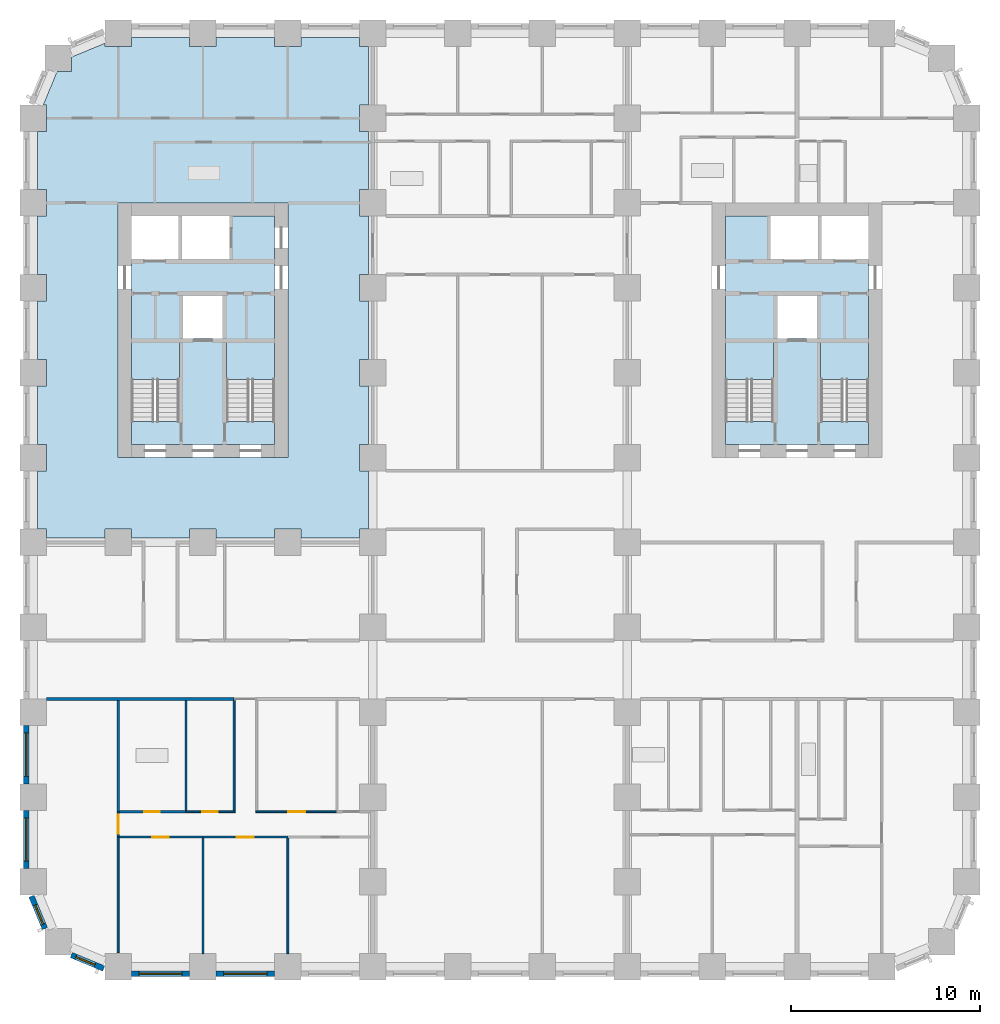
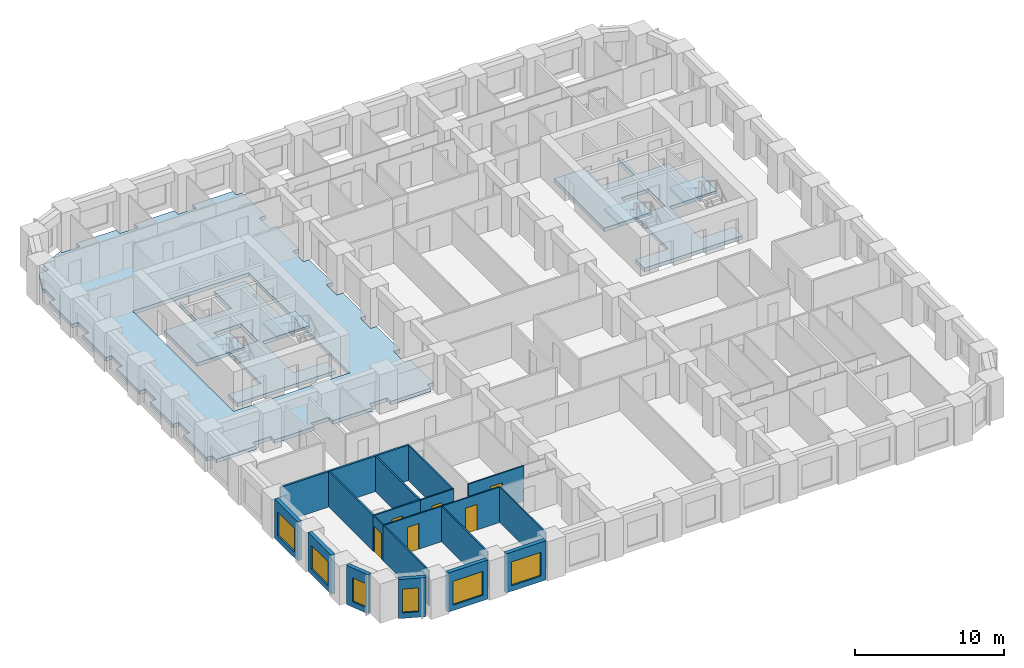
# One storey, part 2 of 13: 19 walls, 7 slabs, 6 doors, 6 windows, 12 openings, 4 elements without a shape of their own.
"""IFC4 building model written with IfcOpenShell, lengths in metres."""

from ifc_helpers import new_model, si_unit, direction, frame, frame_2d, origin, place, context, subcontext, project, spatial, polyline, rectangle, outline, extrude, material, layer, layer_set, type_object, element, fill, aggregate, save


model = new_model("IFC4")

# Units and contexts
model_context = context("Model", 3, precision=1e-05, world=origin(), true_north=direction((0.0, 1.0)))
body_context = subcontext(model_context, "Body", "Model", "MODEL_VIEW")
ifc_project = project(units=[si_unit("LENGTHUNIT", "METRE"), si_unit("AREAUNIT", "SQUARE_METRE"), si_unit("VOLUMEUNIT", "CUBIC_METRE"), si_unit("PLANEANGLEUNIT", "RADIAN"), si_unit("MASSUNIT", "GRAM", prefix="KILO")], contexts=[model_context])

# Site, building, storey
site_placement = place(None, origin())
site = spatial("IfcSite", under=ifc_project, at=site_placement, CompositionType="ELEMENT")
building_placement = place(site_placement, origin())
building = spatial("IfcBuilding", under=site, at=building_placement, Name="Girih Gate Residences", CompositionType="ELEMENT")
storey_placement = place(building_placement, frame((0.0, 0.0, 56.0)))
storey = spatial("IfcBuildingStorey", under=building, at=storey_placement, Name="L14", CompositionType="ELEMENT", Elevation=56.0)

# Slabs
ifc_material_1 = material(Name="Concrete C40/50", Category="concrete")
ifc_layer_1 = layer(ifc_material_1, 0.300048828125)
ifc_layer_set_1 = layer_set([ifc_layer_1], Name="Core floor slab 300")
slab_type_1 = type_object("IfcSlabType", Name="Core floor slab 300", PredefinedType="FLOOR", material=ifc_layer_set_1)
slab_1_placement = place(storey_placement, frame((0.0, 0.0, -0.300048828125)))
element("IfcSlab", 1, at=slab_1_placement, inside=storey, type_object=slab_type_1, Name="L14 W core floor", PredefinedType="FLOOR", context=body_context, shape_type="SweptSolid", body=[
    extrude(outline(polyline([(12.800048828125, 27.699951171875), (5.199951171875, 27.699951171875), (5.199951171875, 28.900634765625), (7.75, 28.900634765625), (7.75, 33.10009765625), (5.199951171875, 33.10009765625), (5.199951171875, 37.5), (7.699951171875, 37.5), (7.699951171875, 39.800048828125), (7.89990234375, 39.800048828125), (7.89990234375, 37.5), (10.39990234375, 37.5), (10.39990234375, 39.800048828125), (12.800048828125, 39.800048828125), (12.800048828125, 33.10009765625), (10.25, 33.10009765625), (10.25, 28.900634765625), (12.800048828125, 28.900634765625), (12.800048828125, 27.699951171875)]), holes=[polyline([(7.949951171875, 33.300048828125), (10.050048828125, 33.300048828125), (10.050048828125, 35.60009765625), (7.949951171875, 35.60009765625), (7.949951171875, 33.300048828125)])]), origin(), (0.0, 0.0, 1.0), 0.300048828125),
])
slab_2_placement = place(storey_placement, frame((0.0, 0.0, -0.300048828125)))
element("IfcSlab", 2, at=slab_2_placement, inside=storey, type_object=slab_type_1, Name="L14 E core floor", PredefinedType="FLOOR", context=body_context, shape_type="SweptSolid", body=[
    extrude(outline(polyline([(44.300048828125, 27.699951171875), (36.699951171875, 27.699951171875), (36.699951171875, 28.900634765625), (39.25, 28.900634765625), (39.25, 33.10009765625), (36.699951171875, 33.10009765625), (36.699951171875, 39.800048828125), (39.10009765625, 39.800048828125), (39.10009765625, 37.5), (41.60009765625, 37.5), (41.60009765625, 39.800048828125), (41.800048828125, 39.800048828125), (41.800048828125, 37.5), (44.300048828125, 37.5), (44.300048828125, 33.10009765625), (41.75, 33.10009765625), (41.75, 28.900634765625), (44.300048828125, 28.900634765625), (44.300048828125, 27.699951171875)]), holes=[polyline([(39.449951171875, 33.300048828125), (41.550048828125, 33.300048828125), (41.550048828125, 35.60009765625), (39.449951171875, 35.60009765625), (39.449951171875, 33.300048828125)])]), origin(), (0.0, 0.0, 1.0), 0.300048828125),
])
ifc_layer_2 = layer(ifc_material_1, 0.300048828125)
ifc_layer_set_2 = layer_set([ifc_layer_2], Name="Floor slab PT 300 Concrete C40/50")
slab_type_2 = type_object("IfcSlabType", Name="Floor slab PT 300 Concrete C40/50", PredefinedType="FLOOR", material=ifc_layer_set_2)
slab_3_placement = place(storey_placement, frame((0.0, 0.0, -0.300048828125)))
element("IfcSlab", 3, at=slab_3_placement, inside=storey, type_object=slab_type_2, Name="Floor slab L14 3", PredefinedType="FLOOR", context=body_context, shape_type="SweptSolid", body=[
    extrude(outline(polyline([(0.22509765625, 26.300048828125), (0.22509765625, 23.199951171875), (0.699951171875, 23.199951171875), (0.699951171875, 22.72509765625), (3.800048828125, 22.72509765625), (3.800048828125, 23.199951171875), (5.199951171875, 23.199951171875), (5.199951171875, 22.72509765625), (8.300048828125, 22.72509765625), (8.300048828125, 23.199951171875), (9.699951171875, 23.199951171875), (9.699951171875, 22.72509765625), (12.800048828125, 22.72509765625), (12.800048828125, 23.199951171875), (14.199951171875, 23.199951171875), (14.199951171875, 22.72509765625), (17.300048828125, 22.72509765625), (17.300048828125, 23.199951171875), (17.77490234375, 23.199951171875), (17.77490234375, 26.300048828125), (17.300048828125, 26.300048828125), (17.300048828125, 27.699951171875), (17.77490234375, 27.699951171875), (17.77490234375, 30.800048828125), (17.300048828125, 30.800048828125), (17.300048828125, 32.199951171875), (17.77490234375, 32.199951171875), (17.77490234375, 35.300048828125), (17.300048828125, 35.300048828125), (17.300048828125, 36.699951171875), (17.77490234375, 36.699951171875), (17.77490234375, 39.800048828125), (17.300048828125, 39.800048828125), (17.300048828125, 41.199951171875), (17.77490234375, 41.199951171875), (17.77490234375, 44.300048828125), (17.300048828125, 44.300048828125), (17.300048828125, 45.699951171875), (17.77490234375, 45.699951171875), (17.77490234375, 48.800048828125), (17.300048828125, 48.800048828125), (17.300048828125, 49.27490234375), (14.199951171875, 49.27490234375), (14.199951171875, 48.800048828125), (12.800048828125, 48.800048828125), (12.800048828125, 49.27490234375), (9.699951171875, 49.27490234375), (9.699951171875, 48.800048828125), (8.300048828125, 48.800048828125), (8.300048828125, 49.27490234375), (5.199951171875, 49.27490234375), (5.199951171875, 48.800048828125), (3.800048828125, 48.800048828125), (3.800048828125, 48.966552734375), (2.01806640625, 48.228271484375), (2.01806640625, 47.48193359375), (1.271728515625, 47.48193359375), (0.533447265625, 45.699951171875), (0.699951171875, 45.699951171875), (0.699951171875, 44.300048828125), (0.22509765625, 44.300048828125), (0.22509765625, 41.199951171875), (0.699951171875, 41.199951171875), (0.699951171875, 39.800048828125), (0.22509765625, 39.800048828125), (0.22509765625, 36.699951171875), (0.699951171875, 36.699951171875), (0.699951171875, 35.300048828125), (0.22509765625, 35.300048828125), (0.22509765625, 32.199951171875), (0.699951171875, 32.199951171875), (0.699951171875, 30.800048828125), (0.22509765625, 30.800048828125), (0.22509765625, 27.699951171875), (0.699951171875, 27.699951171875), (0.699951171875, 26.300048828125), (0.22509765625, 26.300048828125)]), holes=[polyline([(13.5, 40.5), (13.5, 27.0), (4.5, 27.0), (4.5, 40.5), (13.5, 40.5)])]), origin(), (0.0, 0.0, 1.0), 0.300048828125),
])

# Stair, slab
stair_type = type_object("IfcStairType", Name="Exit stair", PredefinedType="HALF_TURN_STAIR", material=ifc_material_1)
stair_1_placement = place(storey_placement, origin())
stair_1 = element("IfcStair", 4, at=stair_1_placement, inside=storey, type_object=stair_type, Name="L14 Exit Stair ST-W1", PredefinedType="HALF_TURN_STAIR")
ifc_layer_3 = layer(ifc_material_1, 0.199951171875)
ifc_layer_set_3 = layer_set([ifc_layer_3], Name="Stair landing 200")
slab_type_3 = type_object("IfcSlabType", Name="Stair landing 200", PredefinedType="LANDING", material=ifc_layer_set_3)
slab_4_placement = place(storey_placement, frame((0.0, 0.0, 1.39990234375)))
slab_4 = element("IfcSlab", 5, at=slab_4_placement, type_object=slab_type_3, Name="ST-W1 landing 1", PredefinedType="LANDING", context=body_context, shape_type="SweptSolid", body=[
    extrude(outline(polyline([(7.75, 31.14990234375), (7.75, 33.10009765625), (5.199951171875, 33.10009765625), (5.199951171875, 31.14990234375), (7.75, 31.14990234375)])), origin(), (0.0, 0.0, 1.0), 0.2001953125),
])
aggregate(stair_1, [slab_4])

stair_2_placement = place(storey_placement, origin())
stair_2 = element("IfcStair", 6, at=stair_2_placement, inside=storey, type_object=stair_type, Name="L14 Exit Stair ST-W2", PredefinedType="HALF_TURN_STAIR")
slab_5_placement = place(storey_placement, frame((0.0, 0.0, 1.39990234375)))
slab_5 = element("IfcSlab", 7, at=slab_5_placement, type_object=slab_type_3, Name="ST-W2 landing 1", PredefinedType="LANDING", context=body_context, shape_type="SweptSolid", body=[
    extrude(outline(polyline([(12.800048828125, 31.14990234375), (12.800048828125, 33.10009765625), (10.25, 33.10009765625), (10.25, 31.14990234375), (12.800048828125, 31.14990234375)])), origin(), (0.0, 0.0, 1.0), 0.2001953125),
])
aggregate(stair_2, [slab_5])

stair_3_placement = place(storey_placement, origin())
stair_3 = element("IfcStair", 8, at=stair_3_placement, inside=storey, type_object=stair_type, Name="L14 Exit Stair ST-E1", PredefinedType="HALF_TURN_STAIR")
slab_6_placement = place(storey_placement, frame((0.0, 0.0, 1.39990234375)))
slab_6 = element("IfcSlab", 9, at=slab_6_placement, type_object=slab_type_3, Name="ST-E1 landing 1", PredefinedType="LANDING", context=body_context, shape_type="SweptSolid", body=[
    extrude(outline(polyline([(44.300048828125, 31.14990234375), (44.300048828125, 33.10009765625), (41.75, 33.10009765625), (41.75, 31.14990234375), (44.300048828125, 31.14990234375)])), origin(), (0.0, 0.0, 1.0), 0.2001953125),
])
aggregate(stair_3, [slab_6])

stair_4_placement = place(storey_placement, origin())
stair_4 = element("IfcStair", 10, at=stair_4_placement, inside=storey, type_object=stair_type, Name="L14 Exit Stair ST-E2", PredefinedType="HALF_TURN_STAIR")
slab_7_placement = place(storey_placement, frame((0.0, 0.0, 1.39990234375)))
slab_7 = element("IfcSlab", 11, at=slab_7_placement, type_object=slab_type_3, Name="ST-E2 landing 1", PredefinedType="LANDING", context=body_context, shape_type="SweptSolid", body=[
    extrude(outline(polyline([(39.25, 31.14990234375), (39.25, 33.10009765625), (36.699951171875, 33.10009765625), (36.699951171875, 31.14990234375), (39.25, 31.14990234375)])), origin(), (0.0, 0.0, 1.0), 0.2001953125),
])
aggregate(stair_4, [slab_7])

# Walls
ifc_material_2 = material(Name="Gypsum board on steel studs", Category="steel")
ifc_layer_4 = layer(ifc_material_2, 0.14990234375)
ifc_layer_set_4 = layer_set([ifc_layer_4], Name="Compartment wall 150 mm")
wall_type_1 = type_object("IfcWallType", Name="Compartment wall 150 mm", PredefinedType="PARTITIONING", material=ifc_layer_set_4)
wall_1_placement = place(storey_placement, frame((0.699951171875, 14.199951171875, 0.0), z_axis=(0.0, 0.0, 1.0), x_axis=(1.0, 0.0, 0.0)))
element("IfcWall", 12, at=wall_1_placement, inside=storey, type_object=wall_type_1, Name="L14 partition", PredefinedType="PARTITIONING", context=body_context, shape_type="SweptSolid", body=[
    extrude(rectangle(XDim=9.949951171875, YDim=0.14990234375, at=frame_2d((4.97509765625, 0.0))), origin(), (0.0, 0.0, 1.0), 2.89990234375),
])
ifc_layer_5 = layer(ifc_material_2, 0.10009765625)
ifc_layer_set_5 = layer_set([ifc_layer_5], Name="Partition 100 mm")
wall_type_2 = type_object("IfcWallType", Name="Partition 100 mm", PredefinedType="PARTITIONING", material=ifc_layer_set_5)
wall_2_placement = place(storey_placement, frame((9.0, 0.699951171875, 0.0), z_axis=(0.0, 0.0, 1.0), x_axis=(0.0, 1.0, 0.0)))
element("IfcWall", 13, at=wall_2_placement, inside=storey, type_object=wall_type_2, Name="L14 partition", PredefinedType="PARTITIONING", context=body_context, shape_type="SweptSolid", body=[
    extrude(rectangle(XDim=6.130126953125, YDim=0.10009765625, at=frame_2d((3.06494140625, 0.0))), origin(), (0.0, 0.0, 1.0), 2.89990234375),
])

# Wall, opening, door
wall_3_placement = place(storey_placement, frame((9.0, 6.8798828125, 0.0), z_axis=(0.0, 0.0, 1.0), x_axis=(-1.0, 0.0, 0.0)))
wall_3 = element("IfcWall", 14, at=wall_3_placement, inside=storey, type_object=wall_type_2, Name="L14 partition", PredefinedType="PARTITIONING", context=body_context, shape_type="SweptSolid", body=[
    extrude(rectangle(XDim=4.449951171875, YDim=0.10009765625, at=frame_2d((2.22509765625, 0.0))), origin(), (0.0, 0.0, 1.0), 2.89990234375),
])
opening_1_placement = place(wall_3_placement, frame((1.800048828125, 0.0, 0.0)))
opening_1 = element("IfcOpeningElement", 15, at=opening_1_placement, cuts=wall_3, Name="Opening A14-002", PredefinedType="OPENING", context=body_context, shape_type="SweptSolid", body=[
    extrude(rectangle(XDim=0.89990234375, YDim=2.10009765625, at=frame_2d((0.449951171875, 1.050048828125))), frame((0.0, 0.06005859375, 0.0), z_axis=(0.0, -1.0, 0.0), x_axis=(1.0, 0.0, 0.0)), (0.0, 0.0, 1.0), 0.1201171875),
])
ifc_material_3 = material(Name="Timber", Category="wood")
door_type_1 = type_object("IfcDoorType", Name="Bedroom door 900x2100", OperationType="NOTDEFINED", PredefinedType="DOOR", material=ifc_material_3)
door_1_placement = place(opening_1_placement, origin())
door_1 = element("IfcDoor", 16, at=door_1_placement, inside=storey, type_object=door_type_1, Name="Door A14-002", OperationType="SINGLE_SWING_RIGHT", OverallHeight=2.10009765625, OverallWidth=0.89990234375, PredefinedType="DOOR", context=body_context, shape_type="SweptSolid", body=[
    extrude(rectangle(XDim=0.89990234375, YDim=2.10009765625, at=frame_2d((0.449951171875, 1.050048828125))), frame((0.0, 0.02490234375, 0.0), z_axis=(0.0, -1.0, 0.0), x_axis=(1.0, 0.0, 0.0)), (0.0, 0.0, 1.0), 0.050048828125),
])
fill(opening_1, door_1)

# Walls
wall_4_placement = place(storey_placement, frame((4.5, 0.757568359375, 0.0), z_axis=(0.0, 0.0, 1.0), x_axis=(0.0, 1.0, 0.0)))
element("IfcWall", 17, at=wall_4_placement, inside=storey, type_object=wall_type_2, Name="L14 partition", PredefinedType="PARTITIONING", context=body_context, shape_type="SweptSolid", body=[
    extrude(rectangle(XDim=6.122314453125, YDim=0.10009765625, at=frame_2d((3.06103515625, 0.0))), origin(), (0.0, 0.0, 1.0), 2.89990234375),
])
wall_5_placement = place(storey_placement, frame((13.5, 0.699951171875, 0.0), z_axis=(0.0, 0.0, 1.0), x_axis=(0.0, 1.0, 0.0)))
element("IfcWall", 18, at=wall_5_placement, inside=storey, type_object=wall_type_2, Name="L14 partition", PredefinedType="PARTITIONING", context=body_context, shape_type="SweptSolid", body=[
    extrude(rectangle(XDim=6.130126953125, YDim=0.10009765625, at=frame_2d((3.06494140625, 0.0))), origin(), (0.0, 0.0, 1.0), 2.89990234375),
])

# Wall, opening, door
wall_6_placement = place(storey_placement, frame((13.5, 6.8798828125, 0.0), z_axis=(0.0, 0.0, 1.0), x_axis=(-1.0, 0.0, 0.0)))
wall_6 = element("IfcWall", 19, at=wall_6_placement, inside=storey, type_object=wall_type_2, Name="L14 partition", PredefinedType="PARTITIONING", context=body_context, shape_type="SweptSolid", body=[
    extrude(rectangle(XDim=4.5, YDim=0.10009765625, at=frame_2d((2.25, 0.0))), origin(), (0.0, 0.0, 1.0), 2.89990234375),
])
opening_2_placement = place(wall_6_placement, frame((1.800048828125, 0.0, 0.0)))
opening_2 = element("IfcOpeningElement", 20, at=opening_2_placement, cuts=wall_6, Name="Opening A14-003", PredefinedType="OPENING", context=body_context, shape_type="SweptSolid", body=[
    extrude(rectangle(XDim=0.89990234375, YDim=2.10009765625, at=frame_2d((0.449951171875, 1.050048828125))), frame((0.0, 0.06005859375, 0.0), z_axis=(0.0, -1.0, 0.0), x_axis=(1.0, 0.0, 0.0)), (0.0, 0.0, 1.0), 0.1201171875),
])
door_2_placement = place(opening_2_placement, origin())
door_2 = element("IfcDoor", 21, at=door_2_placement, inside=storey, type_object=door_type_1, Name="Door A14-003", OperationType="SINGLE_SWING_LEFT", OverallHeight=2.10009765625, OverallWidth=0.89990234375, PredefinedType="DOOR", context=body_context, shape_type="SweptSolid", body=[
    extrude(rectangle(XDim=0.89990234375, YDim=2.10009765625, at=frame_2d((0.449951171875, 1.050048828125))), frame((0.0, 0.02490234375, 0.0), z_axis=(0.0, -1.0, 0.0), x_axis=(1.0, 0.0, 0.0)), (0.0, 0.0, 1.0), 0.050048828125),
])
fill(opening_2, door_2)

wall_7_placement = place(storey_placement, frame((11.800048828125, 8.219970703125, 0.0), z_axis=(0.0, 0.0, 1.0), x_axis=(1.0, 0.0, 0.0)))
wall_7 = element("IfcWall", 22, at=wall_7_placement, inside=storey, type_object=wall_type_2, Name="L14 partition", PredefinedType="PARTITIONING", context=body_context, shape_type="SweptSolid", body=[
    extrude(rectangle(XDim=4.307373046875, YDim=0.10009765625, at=frame_2d((2.15380859375, 0.0))), origin(), (0.0, 0.0, 1.0), 2.89990234375),
])
opening_3_placement = place(wall_7_placement, frame((1.728759765625, 0.0, 0.0)))
opening_3 = element("IfcOpeningElement", 23, at=opening_3_placement, cuts=wall_7, Name="Opening A14-005", PredefinedType="OPENING", context=body_context, shape_type="SweptSolid", body=[
    extrude(rectangle(XDim=0.89990234375, YDim=2.10009765625, at=frame_2d((0.449951171875, 1.050048828125))), frame((0.0, 0.06005859375, 0.0), z_axis=(0.0, -1.0, 0.0), x_axis=(1.0, 0.0, 0.0)), (0.0, 0.0, 1.0), 0.1201171875),
])
door_type_2 = type_object("IfcDoorType", Name="Kitchen door 900x2100", OperationType="NOTDEFINED", PredefinedType="DOOR", material=ifc_material_3)
door_3_placement = place(opening_3_placement, origin())
door_3 = element("IfcDoor", 24, at=door_3_placement, inside=storey, type_object=door_type_2, Name="Door A14-005", OperationType="SINGLE_SWING_RIGHT", OverallHeight=2.10009765625, OverallWidth=0.89990234375, PredefinedType="DOOR", context=body_context, shape_type="SweptSolid", body=[
    extrude(rectangle(XDim=0.89990234375, YDim=2.10009765625, at=frame_2d((0.449951171875, 1.050048828125))), frame((0.0, 0.02490234375, 0.0), z_axis=(0.0, -1.0, 0.0), x_axis=(1.0, 0.0, 0.0)), (0.0, 0.0, 1.0), 0.050048828125),
])
fill(opening_3, door_3)

wall_8_placement = place(storey_placement, frame((4.5, 6.8798828125, 0.0), z_axis=(0.0, 0.0, 1.0), x_axis=(0.0, 1.0, 0.0)))
wall_8 = element("IfcWall", 25, at=wall_8_placement, inside=storey, type_object=wall_type_2, Name="L14 partition", PredefinedType="PARTITIONING", context=body_context, shape_type="SweptSolid", body=[
    extrude(rectangle(XDim=1.340087890625, YDim=0.10009765625, at=frame_2d((0.669921875, 0.0))), origin(), (0.0, 0.0, 1.0), 2.89990234375),
])
opening_4_placement = place(wall_8_placement, frame((0.169921875, 0.0, 0.0)))
opening_4 = element("IfcOpeningElement", 26, at=opening_4_placement, cuts=wall_8, Name="Opening A14-006", PredefinedType="OPENING", context=body_context, shape_type="SweptSolid", body=[
    extrude(rectangle(XDim=1.0, YDim=2.10009765625, at=frame_2d((0.5, 1.050048828125))), frame((0.0, 0.06005859375, 0.0), z_axis=(0.0, -1.0, 0.0), x_axis=(1.0, 0.0, 0.0)), (0.0, 0.0, 1.0), 0.1201171875),
])
door_type_3 = type_object("IfcDoorType", Name="Living room door 1000x2100", OperationType="NOTDEFINED", PredefinedType="DOOR", material=ifc_material_3)
door_4_placement = place(opening_4_placement, origin())
door_4 = element("IfcDoor", 27, at=door_4_placement, inside=storey, type_object=door_type_3, Name="Door A14-006", OperationType="SINGLE_SWING_LEFT", OverallHeight=2.10009765625, OverallWidth=1.0, PredefinedType="DOOR", context=body_context, shape_type="SweptSolid", body=[
    extrude(rectangle(XDim=1.0, YDim=2.10009765625, at=frame_2d((0.5, 1.050048828125))), frame((0.0, 0.02490234375, 0.0), z_axis=(0.0, -1.0, 0.0), x_axis=(1.0, 0.0, 0.0)), (0.0, 0.0, 1.0), 0.050048828125),
])
fill(opening_4, door_4)

wall_9_placement = place(storey_placement, frame((8.0986328125, 8.219970703125, 0.0), z_axis=(0.0, 0.0, 1.0), x_axis=(1.0, 0.0, 0.0)))
wall_9 = element("IfcWall", 28, at=wall_9_placement, inside=storey, type_object=wall_type_2, Name="L14 partition", PredefinedType="PARTITIONING", context=body_context, shape_type="SweptSolid", body=[
    extrude(rectangle(XDim=2.601318359375, YDim=0.10009765625, at=frame_2d((1.30078125, 0.0))), origin(), (0.0, 0.0, 1.0), 2.89990234375),
])
opening_5_placement = place(wall_9_placement, frame((0.875732421875, 0.0, 0.0)))
opening_5 = element("IfcOpeningElement", 29, at=opening_5_placement, cuts=wall_9, Name="Opening A14-008", PredefinedType="OPENING", context=body_context, shape_type="SweptSolid", body=[
    extrude(rectangle(XDim=0.800048828125, YDim=2.10009765625, at=frame_2d((0.39990234375, 1.050048828125))), frame((0.0, 0.06005859375, 0.0), z_axis=(0.0, -1.0, 0.0), x_axis=(1.0, 0.0, 0.0)), (0.0, 0.0, 1.0), 0.1201171875),
])
door_type_4 = type_object("IfcDoorType", Name="Store door 800x2100", OperationType="NOTDEFINED", PredefinedType="DOOR", material=ifc_material_3)
door_5_placement = place(opening_5_placement, origin())
door_5 = element("IfcDoor", 30, at=door_5_placement, inside=storey, type_object=door_type_4, Name="Door A14-008", OperationType="SINGLE_SWING_LEFT", OverallHeight=2.10009765625, OverallWidth=0.800048828125, PredefinedType="DOOR", context=body_context, shape_type="SweptSolid", body=[
    extrude(rectangle(XDim=0.800048828125, YDim=2.10009765625, at=frame_2d((0.39990234375, 1.050048828125))), frame((0.0, 0.02490234375, 0.0), z_axis=(0.0, -1.0, 0.0), x_axis=(1.0, 0.0, 0.0)), (0.0, 0.0, 1.0), 0.050048828125),
])
fill(opening_5, door_5)

# Wall
wall_10_placement = place(storey_placement, frame((10.64990234375, 8.27001953125, 0.0), z_axis=(0.0, 0.0, 1.0), x_axis=(0.0, 1.0, 0.0)))
element("IfcWall", 31, at=wall_10_placement, inside=storey, type_object=wall_type_2, Name="L14 partition", PredefinedType="PARTITIONING", context=body_context, shape_type="SweptSolid", body=[
    extrude(rectangle(XDim=5.85498046875, YDim=0.10009765625, at=frame_2d((2.927490234375, 0.0))), origin(), (0.0, 0.0, 1.0), 2.89990234375),
])

# Wall, opening, window
ifc_material_4 = material(Name="Precast concrete C50/60", Category="concrete")
ifc_layer_6 = layer(ifc_material_4, 0.080078125, Name="Outer leaf")
ifc_material_5 = material(Name="Rigid PIR insulation")
ifc_layer_7 = layer(ifc_material_5, 0.14990234375, Name="Insulation")
ifc_material_6 = material(Name="Precast concrete C40/50", Category="concrete")
ifc_layer_8 = layer(ifc_material_6, 0.070068359375, Name="Inner leaf")
ifc_layer_set_6 = layer_set([ifc_layer_6, ifc_layer_7, ifc_layer_8], Name="Precast concrete C50/60 external wall 300")
wall_type_3 = type_object("IfcWallType", Name="Precast concrete C50/60 external wall 300", PredefinedType="SOLIDWALL", material=ifc_layer_set_6)
wall_11_placement = place(storey_placement, frame((0.62158203125, 2.01953125, 0.0), z_axis=(0.0, 0.0, 1.0), x_axis=(-0.38262540684, 0.923903565336, 0.0)))
wall_11 = element("IfcWall", 32, at=wall_11_placement, inside=storey, type_object=wall_type_3, Name="External wall SW0000_0045.0", PredefinedType="SOLIDWALL", context=body_context, shape_type="SweptSolid", body=[
    extrude(rectangle(XDim=1.864990234375, YDim=0.300048828125, at=frame_2d((0.9326171875, 0.0))), origin(), (0.0, 0.0, 1.0), 3.199951171875),
])
opening_6_placement = place(wall_11_placement, frame((0.257568359375, 0.0, 0.449951171875)))
opening_6 = element("IfcOpeningElement", 33, at=opening_6_placement, cuts=wall_11, Name="Opening W-2C", PredefinedType="OPENING", context=body_context, shape_type="SweptSolid", body=[
    extrude(rectangle(XDim=1.10009765625, YDim=1.949951171875, at=frame_2d((0.550048828125, 0.97509765625))), frame((0.0, 0.159912109375, 0.0), z_axis=(0.0, -1.0, 0.0), x_axis=(1.0, 0.0, 0.0)), (0.0, 0.0, 1.0), 0.320068359375),
])
ifc_material_7 = material(Name="Double glazing in aluminium frame", Category="aluminium")
window_type_1 = type_object("IfcWindowType", Name="Window W-2C 1100x1950", PartitioningType="SINGLE_PANEL", PredefinedType="WINDOW", material=ifc_material_7)
window_1_placement = place(opening_6_placement, origin())
window_1 = element("IfcWindow", 34, at=window_1_placement, inside=storey, type_object=window_type_1, Name="Window W-2C SW0000_0045.0", OverallHeight=1.949951171875, OverallWidth=1.10009765625, PartitioningType="SINGLE_PANEL", PredefinedType="WINDOW", context=body_context, shape_type="SweptSolid", body=[
    extrude(rectangle(XDim=1.10009765625, YDim=1.949951171875, at=frame_2d((0.550048828125, 0.97509765625))), frame((0.0, 0.030029296875, 0.0), z_axis=(0.0, -1.0, 0.0), x_axis=(1.0, 0.0, 0.0)), (0.0, 0.0, 1.0), 0.06005859375),
])
fill(opening_6, window_1)

wall_12_placement = place(storey_placement, frame((3.74267578125, -0.09228515625, 0.0), z_axis=(0.0, 0.0, 1.0), x_axis=(-0.923857286003, 0.382737135771, 0.0)))
wall_12 = element("IfcWall", 35, at=wall_12_placement, inside=storey, type_object=wall_type_3, Name="External wall SW0013_0013.0", PredefinedType="SOLIDWALL", context=body_context, shape_type="SweptSolid", body=[
    extrude(rectangle(XDim=1.865234375, YDim=0.300048828125, at=frame_2d((0.9326171875, 0.0))), origin(), (0.0, 0.0, 1.0), 3.199951171875),
])
opening_7_placement = place(wall_12_placement, frame((0.507568359375, 0.0, 0.449951171875)))
opening_7 = element("IfcOpeningElement", 36, at=opening_7_placement, cuts=wall_12, Name="Opening W-2C", PredefinedType="OPENING", context=body_context, shape_type="SweptSolid", body=[
    extrude(rectangle(XDim=1.10009765625, YDim=1.949951171875, at=frame_2d((0.550048828125, 0.97509765625))), frame((0.0, 0.159912109375, 0.0), z_axis=(0.0, -1.0, 0.0), x_axis=(1.0, 0.0, 0.0)), (0.0, 0.0, 1.0), 0.320068359375),
])
window_2_placement = place(opening_7_placement, origin())
window_2 = element("IfcWindow", 37, at=window_2_placement, inside=storey, type_object=window_type_1, Name="Window W-2C SW0013_0013.0", OverallHeight=1.949951171875, OverallWidth=1.10009765625, PartitioningType="SINGLE_PANEL", PredefinedType="WINDOW", context=body_context, shape_type="SweptSolid", body=[
    extrude(rectangle(XDim=1.10009765625, YDim=1.949951171875, at=frame_2d((0.550048828125, 0.97509765625))), frame((0.0, 0.030029296875, 0.0), z_axis=(0.0, -1.0, 0.0), x_axis=(1.0, 0.0, 0.0)), (0.0, 0.0, 1.0), 0.06005859375),
])
fill(opening_7, window_2)

wall_13_placement = place(storey_placement, frame((8.300048828125, -0.375, 0.0), z_axis=(0.0, 0.0, 1.0), x_axis=(-1.0, 0.0, 0.0)))
wall_13 = element("IfcWall", 38, at=wall_13_placement, inside=storey, type_object=wall_type_3, Name="External wall S0045_0000.0", PredefinedType="SOLIDWALL", context=body_context, shape_type="SweptSolid", body=[
    extrude(rectangle(XDim=3.10009765625, YDim=0.300048828125, at=frame_2d((1.550048828125, 0.0))), origin(), (0.0, 0.0, 1.0), 3.199951171875),
])
opening_8_placement = place(wall_13_placement, frame((0.39990234375, 0.0, 0.449951171875)))
opening_8 = element("IfcOpeningElement", 39, at=opening_8_placement, cuts=wall_13, Name="Opening W-1", PredefinedType="OPENING", context=body_context, shape_type="SweptSolid", body=[
    extrude(rectangle(XDim=2.300048828125, YDim=1.949951171875, at=frame_2d((1.14990234375, 0.97509765625))), frame((0.0, 0.159912109375, 0.0), z_axis=(0.0, -1.0, 0.0), x_axis=(1.0, 0.0, 0.0)), (0.0, 0.0, 1.0), 0.320068359375),
])
window_type_2 = type_object("IfcWindowType", Name="Window W-1 2300x1950", PartitioningType="SINGLE_PANEL", PredefinedType="WINDOW", material=ifc_material_7)
window_3_placement = place(opening_8_placement, origin())
window_3 = element("IfcWindow", 40, at=window_3_placement, inside=storey, type_object=window_type_2, Name="Window W-1 S0045_0000.0", OverallHeight=1.949951171875, OverallWidth=2.300048828125, PartitioningType="SINGLE_PANEL", PredefinedType="WINDOW", context=body_context, shape_type="SweptSolid", body=[
    extrude(rectangle(XDim=2.300048828125, YDim=1.949951171875, at=frame_2d((1.14990234375, 0.97509765625))), frame((0.0, 0.030029296875, 0.0), z_axis=(0.0, -1.0, 0.0), x_axis=(1.0, 0.0, 0.0)), (0.0, 0.0, 1.0), 0.06005859375),
])
fill(opening_8, window_3)

wall_14_placement = place(storey_placement, frame((12.800048828125, -0.375, 0.0), z_axis=(0.0, 0.0, 1.0), x_axis=(-1.0, 0.0, 0.0)))
wall_14 = element("IfcWall", 41, at=wall_14_placement, inside=storey, type_object=wall_type_3, Name="External wall S0045_0000.1", PredefinedType="SOLIDWALL", context=body_context, shape_type="SweptSolid", body=[
    extrude(rectangle(XDim=3.10009765625, YDim=0.300048828125, at=frame_2d((1.550048828125, 0.0))), origin(), (0.0, 0.0, 1.0), 3.199951171875),
])
opening_9_placement = place(wall_14_placement, frame((0.39990234375, 0.0, 0.449951171875)))
opening_9 = element("IfcOpeningElement", 42, at=opening_9_placement, cuts=wall_14, Name="Opening W-1", PredefinedType="OPENING", context=body_context, shape_type="SweptSolid", body=[
    extrude(rectangle(XDim=2.300048828125, YDim=1.949951171875, at=frame_2d((1.14990234375, 0.97509765625))), frame((0.0, 0.159912109375, 0.0), z_axis=(0.0, -1.0, 0.0), x_axis=(1.0, 0.0, 0.0)), (0.0, 0.0, 1.0), 0.320068359375),
])
window_4_placement = place(opening_9_placement, origin())
window_4 = element("IfcWindow", 43, at=window_4_placement, inside=storey, type_object=window_type_2, Name="Window W-1 S0045_0000.1", OverallHeight=1.949951171875, OverallWidth=2.300048828125, PartitioningType="SINGLE_PANEL", PredefinedType="WINDOW", context=body_context, shape_type="SweptSolid", body=[
    extrude(rectangle(XDim=2.300048828125, YDim=1.949951171875, at=frame_2d((1.14990234375, 0.97509765625))), frame((0.0, 0.030029296875, 0.0), z_axis=(0.0, -1.0, 0.0), x_axis=(1.0, 0.0, 0.0)), (0.0, 0.0, 1.0), 0.06005859375),
])
fill(opening_9, window_4)

wall_15_placement = place(storey_placement, frame((-0.375, 9.699951171875, 0.0), z_axis=(0.0, 0.0, 1.0), x_axis=(0.0, 1.0, 0.0)))
wall_15 = element("IfcWall", 44, at=wall_15_placement, inside=storey, type_object=wall_type_3, Name="External wall W0000_0450.7", PredefinedType="SOLIDWALL", context=body_context, shape_type="SweptSolid", body=[
    extrude(rectangle(XDim=3.10009765625, YDim=0.300048828125, at=frame_2d((1.550048828125, 0.0))), origin(), (0.0, 0.0, 1.0), 3.199951171875),
])
opening_10_placement = place(wall_15_placement, frame((0.39990234375, 0.0, 0.449951171875)))
opening_10 = element("IfcOpeningElement", 45, at=opening_10_placement, cuts=wall_15, Name="Opening W-1", PredefinedType="OPENING", context=body_context, shape_type="SweptSolid", body=[
    extrude(rectangle(XDim=2.300048828125, YDim=1.949951171875, at=frame_2d((1.14990234375, 0.97509765625))), frame((0.0, 0.159912109375, 0.0), z_axis=(0.0, -1.0, 0.0), x_axis=(1.0, 0.0, 0.0)), (0.0, 0.0, 1.0), 0.320068359375),
])
window_5_placement = place(opening_10_placement, origin())
window_5 = element("IfcWindow", 46, at=window_5_placement, inside=storey, type_object=window_type_2, Name="Window W-1 W0000_0450.7", OverallHeight=1.949951171875, OverallWidth=2.300048828125, PartitioningType="SINGLE_PANEL", PredefinedType="WINDOW", context=body_context, shape_type="SweptSolid", body=[
    extrude(rectangle(XDim=2.300048828125, YDim=1.949951171875, at=frame_2d((1.14990234375, 0.97509765625))), frame((0.0, 0.030029296875, 0.0), z_axis=(0.0, -1.0, 0.0), x_axis=(1.0, 0.0, 0.0)), (0.0, 0.0, 1.0), 0.06005859375),
])
fill(opening_10, window_5)

wall_16_placement = place(storey_placement, frame((-0.375, 5.199951171875, 0.0), z_axis=(0.0, 0.0, 1.0), x_axis=(0.0, 1.0, 0.0)))
wall_16 = element("IfcWall", 47, at=wall_16_placement, inside=storey, type_object=wall_type_3, Name="External wall W0000_0450.8", PredefinedType="SOLIDWALL", context=body_context, shape_type="SweptSolid", body=[
    extrude(rectangle(XDim=3.10009765625, YDim=0.300048828125, at=frame_2d((1.550048828125, 0.0))), origin(), (0.0, 0.0, 1.0), 3.199951171875),
])
opening_11_placement = place(wall_16_placement, frame((0.39990234375, 0.0, 0.449951171875)))
opening_11 = element("IfcOpeningElement", 48, at=opening_11_placement, cuts=wall_16, Name="Opening W-1", PredefinedType="OPENING", context=body_context, shape_type="SweptSolid", body=[
    extrude(rectangle(XDim=2.300048828125, YDim=1.949951171875, at=frame_2d((1.14990234375, 0.97509765625))), frame((0.0, 0.159912109375, 0.0), z_axis=(0.0, -1.0, 0.0), x_axis=(1.0, 0.0, 0.0)), (0.0, 0.0, 1.0), 0.320068359375),
])
window_6_placement = place(opening_11_placement, origin())
window_6 = element("IfcWindow", 49, at=window_6_placement, inside=storey, type_object=window_type_2, Name="Window W-1 W0000_0450.8", OverallHeight=1.949951171875, OverallWidth=2.300048828125, PartitioningType="SINGLE_PANEL", PredefinedType="WINDOW", context=body_context, shape_type="SweptSolid", body=[
    extrude(rectangle(XDim=2.300048828125, YDim=1.949951171875, at=frame_2d((1.14990234375, 0.97509765625))), frame((0.0, 0.030029296875, 0.0), z_axis=(0.0, -1.0, 0.0), x_axis=(1.0, 0.0, 0.0)), (0.0, 0.0, 1.0), 0.06005859375),
])
fill(opening_11, window_6)

# Wall, opening, door
ifc_layer_9 = layer(ifc_material_2, 0.125)
ifc_layer_set_7 = layer_set([ifc_layer_9], Name="Wet room wall 125 mm")
wall_type_4 = type_object("IfcWallType", Name="Wet room wall 125 mm", PredefinedType="PARTITIONING", material=ifc_layer_set_7)
wall_17_placement = place(storey_placement, frame((4.5625, 8.219970703125, 0.0), z_axis=(0.0, 0.0, 1.0), x_axis=(1.0, 0.0, 0.0)))
wall_17 = element("IfcWall", 50, at=wall_17_placement, inside=storey, type_object=wall_type_4, Name="L14 partition", PredefinedType="PARTITIONING", context=body_context, shape_type="SweptSolid", body=[
    extrude(rectangle(XDim=3.5361328125, YDim=0.125, at=frame_2d((1.76806640625, 0.0))), origin(), (0.0, 0.0, 1.0), 2.89990234375),
])
opening_12_placement = place(wall_17_placement, frame((1.3369140625, 0.0, 0.0)))
opening_12 = element("IfcOpeningElement", 51, at=opening_12_placement, cuts=wall_17, Name="Opening A14-001", PredefinedType="OPENING", context=body_context, shape_type="SweptSolid", body=[
    extrude(rectangle(XDim=0.800048828125, YDim=2.10009765625, at=frame_2d((0.39990234375, 1.050048828125))), frame((0.0, 0.072509765625, 0.0), z_axis=(0.0, -1.0, 0.0), x_axis=(1.0, 0.0, 0.0)), (0.0, 0.0, 1.0), 0.14501953125),
])
door_type_5 = type_object("IfcDoorType", Name="Bathroom door 800x2100", OperationType="NOTDEFINED", PredefinedType="DOOR", material=ifc_material_3)
door_6_placement = place(opening_12_placement, origin())
door_6 = element("IfcDoor", 52, at=door_6_placement, inside=storey, type_object=door_type_5, Name="Door A14-001", OperationType="SINGLE_SWING_LEFT", OverallHeight=2.10009765625, OverallWidth=0.800048828125, PredefinedType="DOOR", context=body_context, shape_type="SweptSolid", body=[
    extrude(rectangle(XDim=0.800048828125, YDim=2.10009765625, at=frame_2d((0.39990234375, 1.050048828125))), frame((0.0, 0.02490234375, 0.0), z_axis=(0.0, -1.0, 0.0), x_axis=(1.0, 0.0, 0.0)), (0.0, 0.0, 1.0), 0.050048828125),
])
fill(opening_12, door_6)

# Walls
wall_18_placement = place(storey_placement, frame((4.5, 8.219970703125, 0.0), z_axis=(0.0, 0.0, 1.0), x_axis=(0.0, 1.0, 0.0)))
element("IfcWall", 53, at=wall_18_placement, inside=storey, type_object=wall_type_4, Name="L14 partition", PredefinedType="PARTITIONING", context=body_context, shape_type="SweptSolid", body=[
    extrude(rectangle(XDim=5.905029296875, YDim=0.125, at=frame_2d((2.95263671875, 0.0))), origin(), (0.0, 0.0, 1.0), 2.89990234375),
])
wall_19_placement = place(storey_placement, frame((8.09912109375, 8.282470703125, 0.0), z_axis=(0.0, 0.0, 1.0), x_axis=(0.0, 1.0, 0.0)))
element("IfcWall", 54, at=wall_19_placement, inside=storey, type_object=wall_type_4, Name="L14 partition", PredefinedType="PARTITIONING", context=body_context, shape_type="SweptSolid", body=[
    extrude(rectangle(XDim=5.842529296875, YDim=0.125, at=frame_2d((2.92138671875, 0.0))), origin(), (0.0, 0.0, 1.0), 2.89990234375),
])

save(model, "model.ifc")
